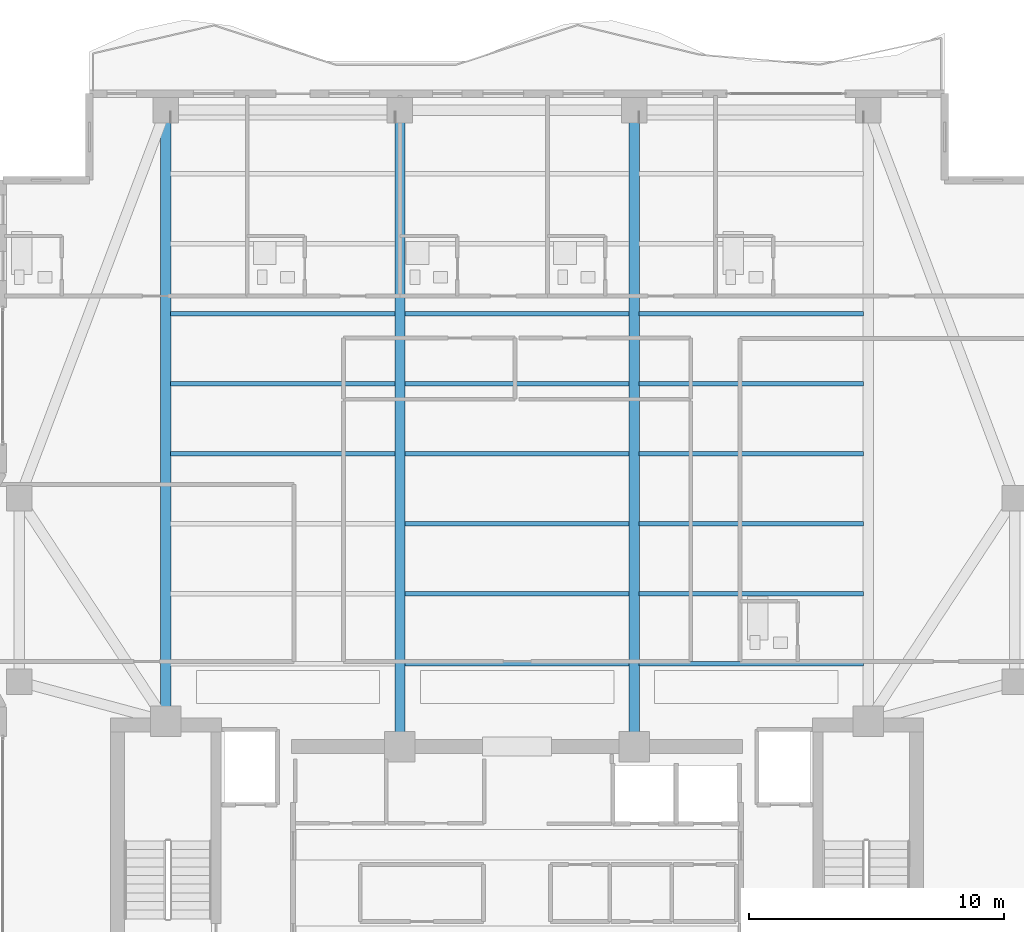
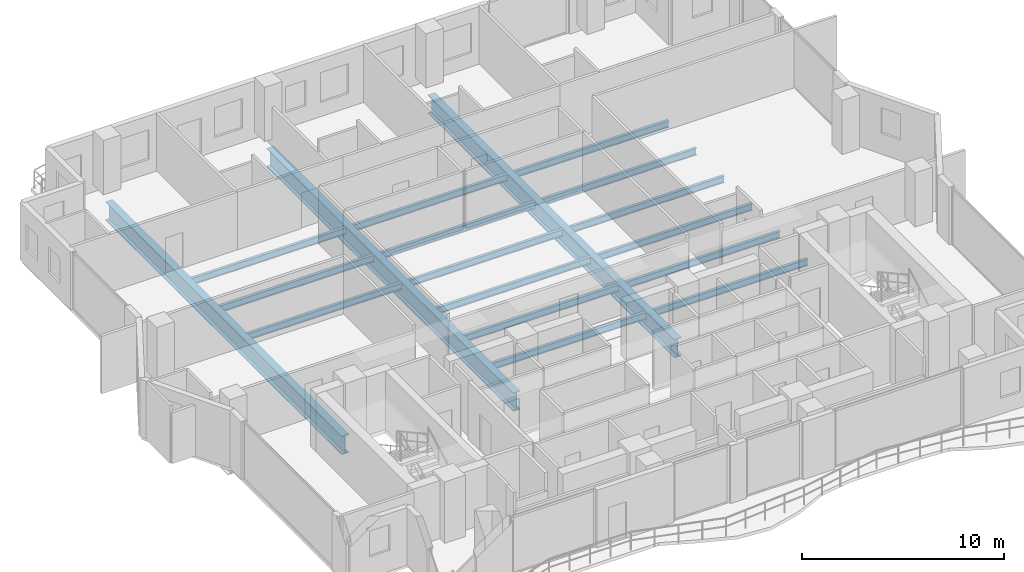
# One storey, part 8 of 28: 18 beams.
"""IFC4 building model written with IfcOpenShell, lengths in metres."""

from ifc_helpers import new_model, si_unit, direction, frame, origin, origin_2d, place, context, subcontext, project, spatial, i_section, extrude, material, material_profile, profile_set, type_object, element, save


model = new_model("IFC4")

# Units and contexts
model_context = context("Model", 3, precision=1e-05, world=origin(), true_north=direction((0.0, 1.0)))
body_context = subcontext(model_context, "Body", "Model", "MODEL_VIEW")
ifc_project = project(units=[si_unit("LENGTHUNIT", "METRE"), si_unit("AREAUNIT", "SQUARE_METRE"), si_unit("VOLUMEUNIT", "CUBIC_METRE"), si_unit("PLANEANGLEUNIT", "RADIAN"), si_unit("MASSUNIT", "GRAM", prefix="KILO")], contexts=[model_context])

# Site, building, storey
site_placement = place(None, origin())
site = spatial("IfcSite", under=ifc_project, at=site_placement, CompositionType="ELEMENT")
building_placement = place(site_placement, origin())
building = spatial("IfcBuilding", under=site, at=building_placement, Name="Zuhayl Quay Hotel", CompositionType="ELEMENT")
storey_placement = place(building_placement, frame((0.0, 0.0, 239.64990234375)))
storey = spatial("IfcBuildingStorey", under=building, at=storey_placement, Name="L60", CompositionType="ELEMENT", Elevation=239.64990234375)

# Beams
ifc_material_1 = material(Name="Steel ASTM A992 Grade 50", Category="steel")
ifc_material_profile_1 = material_profile(ifc_material_1, i_section(OverallWidth=0.177978515625, OverallDepth=0.404052734375, WebThickness=0.007568359375, FlangeThickness=0.010986328125, at=origin_2d()), Name="W16X36")
ifc_profile_set_1 = profile_set([ifc_material_profile_1], Name="Steel ASTM A992 Grade 50")
beam_type_1 = type_object("IfcBeamType", Name="BM_J3_W16X36", PredefinedType="JOIST", material=ifc_profile_set_1)
for number, where, z_axis, x_axis, name in (
    (1, (-4.406005859375, 16.60009765625, -0.4619140625), (1.0, 0.0, 0.0), (0.0, 1.0, 0.0), "L60 Floor Beam FJ_L60_1_2"),
    (2, (4.7939453125, 16.60009765625, -0.4619140625), (1.0, 0.0, 0.0), (0.0, 1.0, 0.0), "L60 Floor Beam FJ_L60_1_3"),
    (3, (-4.406005859375, 19.35009765625, -0.4619140625), (1.0, 0.0, 0.0), (0.0, 1.0, 0.0), "L60 Floor Beam FJ_L60_2_2"),
    (4, (4.7939453125, 19.35009765625, -0.4619140625), (1.0, 0.0, 0.0), (0.0, 1.0, 0.0), "L60 Floor Beam FJ_L60_2_3"),
    (5, (-4.406005859375, 22.10009765625, -0.4619140625), (1.0, 0.0, 0.0), (0.0, 1.0, 0.0), "L60 Floor Beam FJ_L60_3_2"),
    (6, (4.7939453125, 22.10009765625, -0.4619140625), (1.0, 0.0, 0.0), (0.0, 1.0, 0.0), "L60 Floor Beam FJ_L60_3_3"),
    (7, (-13.60595703125, 24.85009765625, -0.4619140625), (1.0, 0.0, 0.0), (0.0, 1.0, 0.0), "L60 Floor Beam FJ_L60_4_1"),
    (8, (-4.406005859375, 24.85009765625, -0.4619140625), (1.0, 0.0, 0.0), (0.0, 1.0, 0.0), "L60 Floor Beam FJ_L60_4_2"),
    (9, (4.7939453125, 24.85009765625, -0.4619140625), (1.0, 0.0, 0.0), (0.0, 1.0, 0.0), "L60 Floor Beam FJ_L60_4_3"),
    (10, (-13.60595703125, 27.60009765625, -0.4619140625), (1.0, 0.0, 0.0), (0.0, 1.0, 0.0), "L60 Floor Beam FJ_L60_5_1"),
    (11, (-4.406005859375, 27.60009765625, -0.4619140625), (1.0, 0.0, 0.0), (0.0, 1.0, 0.0), "L60 Floor Beam FJ_L60_5_2"),
    (12, (4.7939453125, 27.60009765625, -0.4619140625), (1.0, 0.0, 0.0), (0.0, 1.0, 0.0), "L60 Floor Beam FJ_L60_5_3"),
    (13, (-13.60595703125, 30.35009765625, -0.4619140625), (1.0, 0.0, 0.0), (0.0, 1.0, 0.0), "L60 Floor Beam FJ_L60_6_1"),
    (14, (-4.406005859375, 30.35009765625, -0.4619140625), (1.0, 0.0, 0.0), (0.0, 1.0, 0.0), "L60 Floor Beam FJ_L60_6_2"),
    (15, (4.7939453125, 30.35009765625, -0.4619140625), (1.0, 0.0, 0.0), (0.0, 1.0, 0.0), "L60 Floor Beam FJ_L60_6_3"),
):
    element("IfcBeam", number, at=place(storey_placement, frame(where, z_axis=z_axis, x_axis=x_axis)), inside=storey, type_object=beam_type_1, Name=name, PredefinedType="JOIST", context=body_context, shape_type="SweptSolid", body=[
        extrude(i_section(OverallWidth=0.177978515625, OverallDepth=0.404052734375, WebThickness=0.007568359375, FlangeThickness=0.010986328125, at=origin_2d()), origin(), (0.0, 0.0, 1.0), 8.81201171875),
    ])
ifc_material_2 = material(Name="Steel ASTM A913 Grade 65", Category="steel")
ifc_material_profile_2 = material_profile(ifc_material_2, i_section(OverallWidth=0.404052734375, OverallDepth=1.117919921875, WebThickness=0.026123046875, FlangeThickness=0.044921875, at=origin_2d()), Name="W44X335")
ifc_profile_set_2 = profile_set([ifc_material_profile_2], Name="Steel ASTM A913 Grade 65")
beam_type_2 = type_object("IfcBeamType", Name="BM_TG1_W44X335", PredefinedType="BEAM", material=ifc_profile_set_2)
beam_placement = place(storey_placement, frame((-13.800048828125, 14.800048828125, -0.81884765625), z_axis=(0.0, 1.0, 0.0), x_axis=(-1.0, 0.0, 0.0)))
element("IfcBeam", 16, at=beam_placement, inside=storey, type_object=beam_type_2, Name="L60 Floor Beam FG_N_L60_1", PredefinedType="BEAM", context=body_context, shape_type="SweptSolid", body=[
    extrude(i_section(OverallWidth=0.404052734375, OverallDepth=1.117919921875, WebThickness=0.026123046875, FlangeThickness=0.044921875, at=origin_2d()), origin(), (0.0, 0.0, 1.0), 23.349853515625),
])
for number, where, z_axis, x_axis, name in (
    (17, (-4.60009765625, 13.800048828125, -0.81884765625), (0.0, 1.0, 0.0), (-1.0, 0.0, 0.0), "L60 Floor Beam FG_N_L60_2"),
    (18, (4.60009765625, 13.800048828125, -0.81884765625), (0.0, 1.0, 0.0), (-1.0, 0.0, 0.0), "L60 Floor Beam FG_N_L60_3"),
):
    element("IfcBeam", number, at=place(storey_placement, frame(where, z_axis=z_axis, x_axis=x_axis)), inside=storey, type_object=beam_type_2, Name=name, PredefinedType="BEAM", context=body_context, shape_type="SweptSolid", body=[
        extrude(i_section(OverallWidth=0.404052734375, OverallDepth=1.117919921875, WebThickness=0.026123046875, FlangeThickness=0.044921875, at=origin_2d()), origin(), (0.0, 0.0, 1.0), 24.349853515625),
    ])

save(model, "model.ifc")
